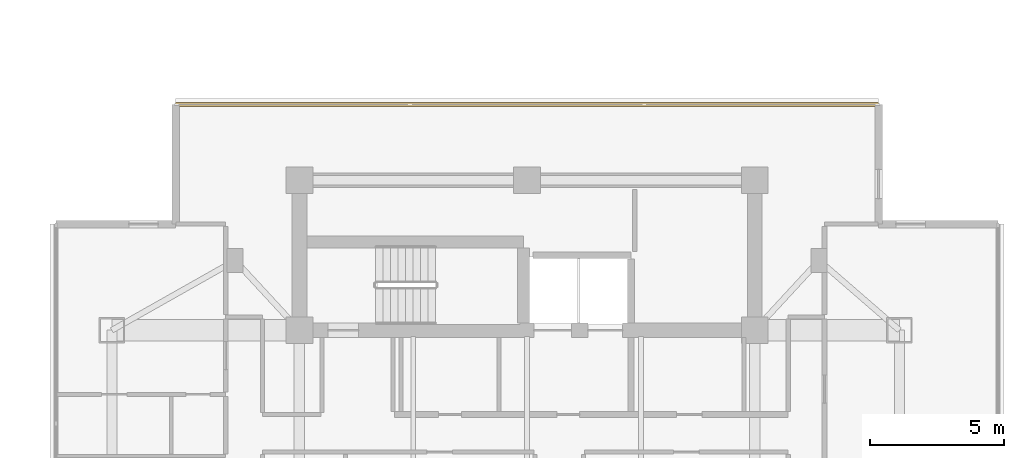
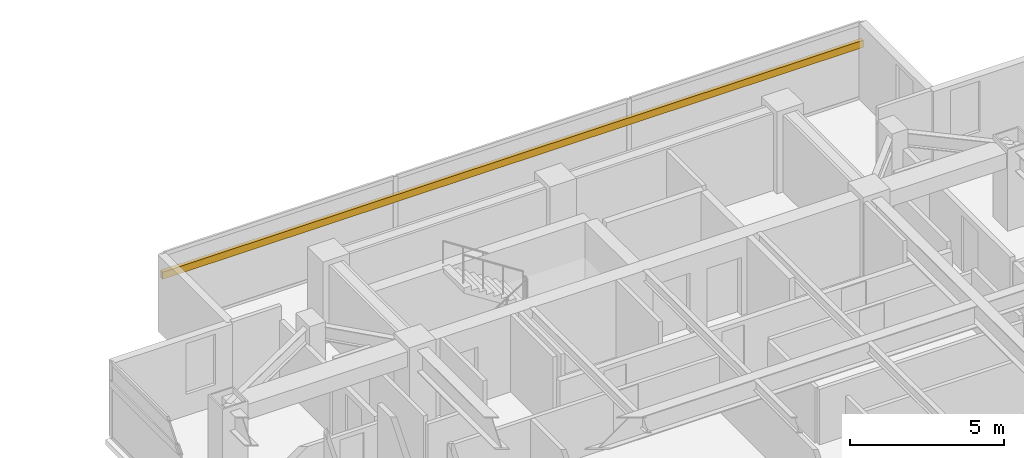
# One storey, part 24 of 24: 1 shading device.
"""IFC4 building model written with IfcOpenShell, lengths in metres."""

from ifc_helpers import new_model, si_unit, direction, frame, origin, origin_2d, place, context, subcontext, project, spatial, rectangle, extrude, material, material_profile, profile_set, type_object, element, save


model = new_model("IFC4")

# Units and contexts
model_context = context("Model", 3, precision=1e-05, world=origin(), true_north=direction((0.0, 1.0)))
body_context = subcontext(model_context, "Body", "Model", "MODEL_VIEW")
ifc_project = project(units=[si_unit("LENGTHUNIT", "METRE"), si_unit("AREAUNIT", "SQUARE_METRE"), si_unit("VOLUMEUNIT", "CUBIC_METRE"), si_unit("PLANEANGLEUNIT", "RADIAN"), si_unit("MASSUNIT", "GRAM", prefix="KILO")], contexts=[model_context])

# Site, building, storey
site_placement = place(None, origin())
site = spatial("IfcSite", under=ifc_project, at=site_placement, CompositionType="ELEMENT")
building_placement = place(site_placement, origin())
building = spatial("IfcBuilding", under=site, at=building_placement, Name="Mirazonda Arch Towers", CompositionType="ELEMENT")
storey_placement = place(building_placement, frame((0.0, 0.0, 167.39990234375)))
storey = spatial("IfcBuildingStorey", under=building, at=storey_placement, Name="L47", CompositionType="ELEMENT", Elevation=167.39990234375)

# Shading device
ifc_material = material(Name="Kiln-Fired Architectural Terracotta", Category="masonry")
ifc_material_profile = material_profile(ifc_material, rectangle(XDim=0.139892578125, YDim=0.280029296875, at=origin_2d()), Name="TERRA-BAG-140x280")
ifc_profile_set = profile_set([ifc_material_profile], Name="Kiln-Fired Architectural Terracotta")
shading_device_type = type_object("IfcShadingDeviceType", Name="BAGUETTE-3", PredefinedType="USERDEFINED", material=ifc_profile_set)
shading_device_placement = place(storey_placement, frame((63.380615234375, 43.624755859375, 2.181640625), z_axis=(1.0, 0.0, 0.0), x_axis=(0.0, 1.0, 0.0)))
element("IfcShadingDevice", 1, at=shading_device_placement, inside=storey, type_object=shading_device_type, Name="L47 Glazed Terracotta Sun-Screen Baguette CW-L47-T2-N", ObjectType="BAGUETTE", PredefinedType="USERDEFINED", context=body_context, shape_type="SweptSolid", body=[
    extrude(rectangle(XDim=0.139892578125, YDim=0.280029296875, at=origin_2d()), origin(), (0.0, 0.0, 1.0), 26.23876953125),
])

save(model, "model.ifc")
